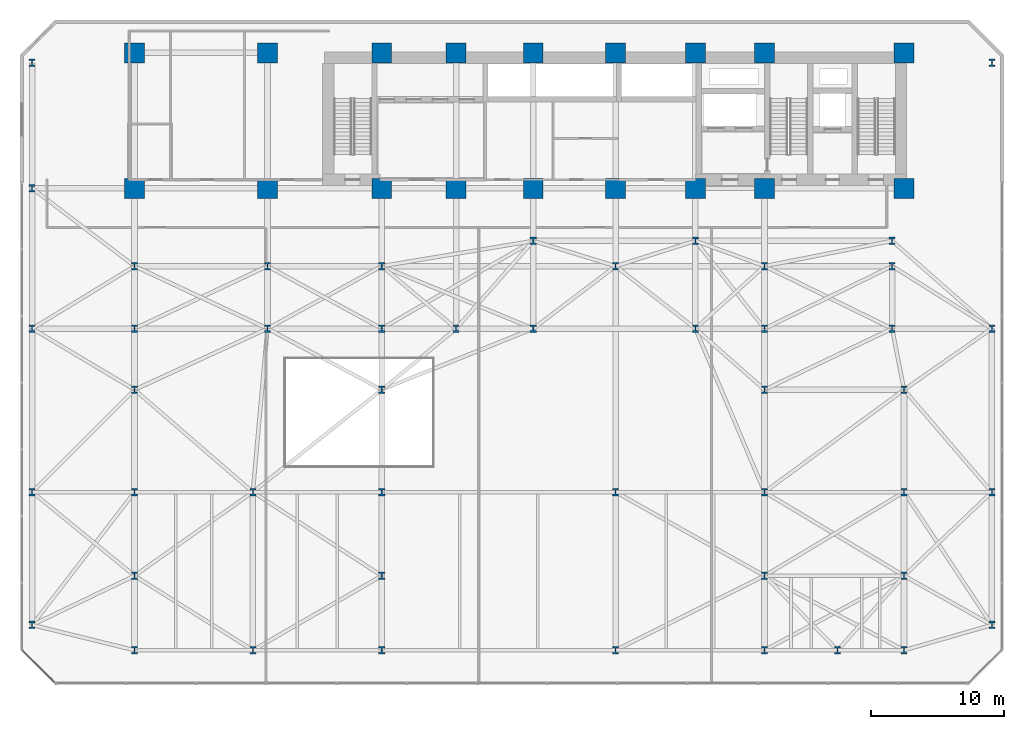
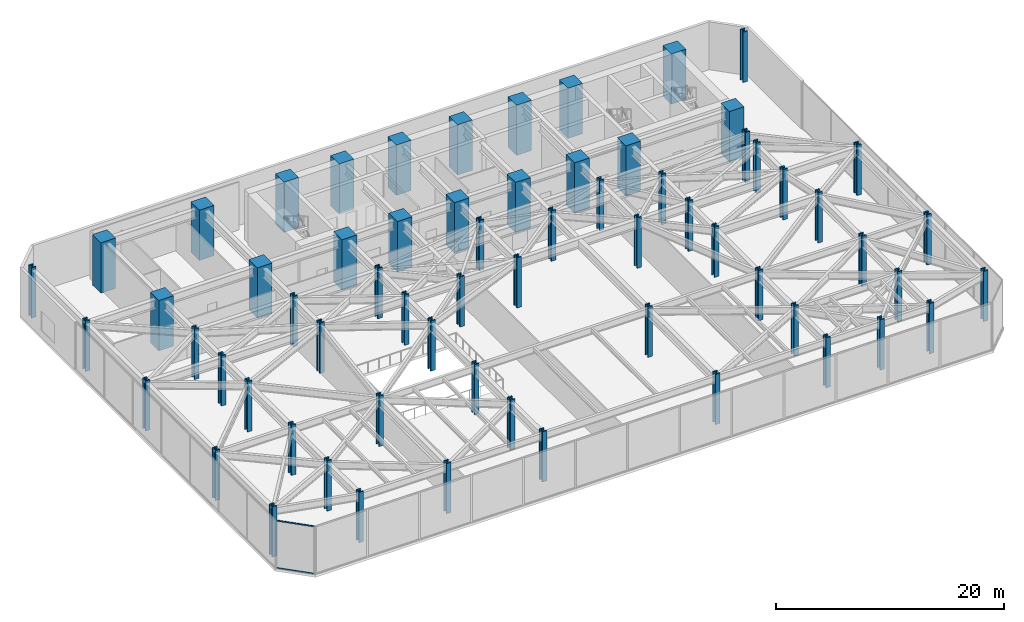
# One storey, part 1 of 29: 65 columns, 2 members, 1 element without a shape of its own.
"""IFC4 building model written with IfcOpenShell, lengths in metres."""

from ifc_helpers import new_model, si_unit, direction, frame, origin, origin_2d, place, context, subcontext, project, spatial, rectangle, hollow_rectangle, i_section, extrude, material, layer, layer_set, material_profile, profile_set, type_object, element, aggregate, save


model = new_model("IFC4")

# Units and contexts
model_context = context("Model", 3, precision=1e-05, world=origin(), true_north=direction((0.0, 1.0)))
body_context = subcontext(model_context, "Body", "Model", "MODEL_VIEW")
ifc_project = project(units=[si_unit("LENGTHUNIT", "METRE"), si_unit("AREAUNIT", "SQUARE_METRE"), si_unit("VOLUMEUNIT", "CUBIC_METRE"), si_unit("PLANEANGLEUNIT", "RADIAN"), si_unit("MASSUNIT", "GRAM", prefix="KILO")], contexts=[model_context])

# Site, building, storey
site_placement = place(None, origin())
site = spatial("IfcSite", under=ifc_project, at=site_placement, CompositionType="ELEMENT")
building_placement = place(site_placement, origin())
building = spatial("IfcBuilding", under=site, at=building_placement, Name="Kravanh Interchange Tower", CompositionType="ELEMENT")
storey_placement = place(building_placement, frame((0.0, 0.0, 5.39990234375)))
storey = spatial("IfcBuildingStorey", under=building, at=storey_placement, Name="L01", CompositionType="ELEMENT", Elevation=5.39990234375)

# Columns
ifc_material_1 = material(Name="Concrete C80/95", Category="concrete")
ifc_material_profile_1 = material_profile(ifc_material_1, rectangle(XDim=1.5, YDim=1.5, at=origin_2d()), Name="RC1500X1500")
ifc_profile_set_1 = profile_set([ifc_material_profile_1], Name="Concrete C80/95")
column_type_1 = type_object("IfcColumnType", Name="Column RC1500X1500 Concrete C80/95", PredefinedType="COLUMN", material=ifc_profile_set_1)
for number, where, z_axis, x_axis, name in (
    (1, (66.5, 47.550048828125, 0.0), (0.0, 0.0, 1.0), (1.0, 0.0, 0.0), "L01 Column CS01"),
    (2, (56.0, 47.550048828125, 0.0), (0.0, 0.0, 1.0), (1.0, 0.0, 0.0), "L01 Column CS02"),
    (3, (66.5, 37.35009765625, 0.0), (0.0, 0.0, 1.0), (1.0, 0.0, 0.0), "L01 Column CS03"),
    (4, (56.0, 37.35009765625, 0.0), (0.0, 0.0, 1.0), (1.0, 0.0, 0.0), "L01 Column CS04"),
    (5, (50.800048828125, 47.550048828125, 0.0), (0.0, 0.0, 1.0), (1.0, 0.0, 0.0), "L01 Column CS05"),
    (6, (50.800048828125, 37.35009765625, 0.0), (0.0, 0.0, 1.0), (1.0, 0.0, 0.0), "L01 Column CS06"),
    (7, (44.800048828125, 37.35009765625, 0.0), (0.0, 0.0, 1.0), (1.0, 0.0, 0.0), "L01 Column CS07"),
    (8, (44.800048828125, 47.550048828125, 0.0), (0.0, 0.0, 1.0), (1.0, 0.0, 0.0), "L01 Column CS08"),
    (9, (38.60009765625, 37.35009765625, 0.0), (0.0, 0.0, 1.0), (1.0, 0.0, 0.0), "L01 Column CS09"),
    (10, (38.60009765625, 47.550048828125, 0.0), (0.0, 0.0, 1.0), (1.0, 0.0, 0.0), "L01 Column CS10"),
    (11, (32.800048828125, 37.35009765625, 0.0), (0.0, 0.0, 1.0), (1.0, 0.0, 0.0), "L01 Column CS11"),
    (12, (32.800048828125, 47.550048828125, 0.0), (0.0, 0.0, 1.0), (1.0, 0.0, 0.0), "L01 Column CS12"),
    (13, (27.199951171875, 37.35009765625, 0.0), (0.0, 0.0, 1.0), (1.0, 0.0, 0.0), "L01 Column CS13"),
    (14, (27.199951171875, 47.550048828125, 0.0), (0.0, 0.0, 1.0), (1.0, 0.0, 0.0), "L01 Column CS14"),
    (15, (18.60009765625, 37.35009765625, 0.0), (0.0, 0.0, 1.0), (1.0, 0.0, 0.0), "L01 Column CS17"),
    (16, (18.60009765625, 47.550048828125, 0.0), (0.0, 0.0, 1.0), (1.0, 0.0, 0.0), "L01 Column CS18"),
    (17, (8.60009765625, 37.35009765625, 0.0), (0.0, 0.0, 1.0), (1.0, 0.0, 0.0), "L01 Column CS23"),
    (18, (8.60009765625, 47.550048828125, 0.0), (0.0, 0.0, 1.0), (1.0, 0.0, 0.0), "L01 Column CS24"),
):
    element("IfcColumn", number, at=place(storey_placement, frame(where, z_axis=z_axis, x_axis=x_axis)), inside=storey, type_object=column_type_1, Name=name, PredefinedType="COLUMN", context=body_context, shape_type="SweptSolid", body=[
        extrude(rectangle(XDim=1.5, YDim=1.5, at=origin_2d()), origin(), (0.0, 0.0, 1.0), 5.400146484375),
    ])
ifc_material_2 = material(Name="Structural Steel S450", Category="steel")
ifc_material_profile_2 = material_profile(ifc_material_2, i_section(OverallWidth=0.4541015625, OverallDepth=0.569091796875, WebThickness=0.077880859375, FlangeThickness=0.124755859375, FilletRadius=0.030029296875, at=origin_2d()), Name="W14X730")
ifc_profile_set_2 = profile_set([ifc_material_profile_2], Name="Structural Steel S450")
column_type_2 = type_object("IfcColumnType", Name="Column W14X730 Structural Steel S450", PredefinedType="COLUMN", material=ifc_profile_set_2)
for number, where, z_axis, x_axis, name in (
    (19, (8.60009765625, 2.60009765625, 0.0), (0.0, 0.0, 1.0), (1.0, 0.0, 0.0), "L01 Column CP01"),
    (20, (17.5, 2.60009765625, 0.0), (0.0, 0.0, 1.0), (1.0, 0.0, 0.0), "L01 Column CP02"),
    (21, (27.199951171875, 2.60009765625, 0.0), (0.0, 0.0, 1.0), (1.0, 0.0, 0.0), "L01 Column CP03"),
    (22, (44.800048828125, 2.60009765625, 0.0), (0.0, 0.0, 1.0), (1.0, 0.0, 0.0), "L01 Column CP04"),
    (23, (56.0, 2.60009765625, 0.0), (0.0, 0.0, 1.0), (1.0, 0.0, 0.0), "L01 Column CP05"),
    (24, (61.5, 2.60009765625, 0.0), (0.0, 0.0, 1.0), (1.0, 0.0, 0.0), "L01 Column CP05B"),
    (25, (66.5, 2.60009765625, 0.0), (0.0, 0.0, 1.0), (1.0, 0.0, 0.0), "L01 Column CP06"),
    (26, (8.60009765625, 8.199951171875, 0.0), (0.0, 0.0, 1.0), (1.0, 0.0, 0.0), "L01 Column CP06B"),
    (27, (27.199951171875, 8.199951171875, 0.0), (0.0, 0.0, 1.0), (1.0, 0.0, 0.0), "L01 Column CP06C"),
    (28, (56.0, 8.199951171875, 0.0), (0.0, 0.0, 1.0), (1.0, 0.0, 0.0), "L01 Column CP06D"),
    (29, (66.5, 8.199951171875, 0.0), (0.0, 0.0, 1.0), (1.0, 0.0, 0.0), "L01 Column CP06E"),
    (30, (8.60009765625, 14.5, 0.0), (0.0, 0.0, 1.0), (1.0, 0.0, 0.0), "L01 Column CP07"),
    (31, (17.5, 14.5, 0.0), (0.0, 0.0, 1.0), (1.0, 0.0, 0.0), "L01 Column CP08"),
    (32, (27.199951171875, 14.5, 0.0), (0.0, 0.0, 1.0), (1.0, 0.0, 0.0), "L01 Column CP09"),
    (33, (44.800048828125, 14.5, 0.0), (0.0, 0.0, 1.0), (1.0, 0.0, 0.0), "L01 Column CP10"),
    (34, (56.0, 14.5, 0.0), (0.0, 0.0, 1.0), (1.0, 0.0, 0.0), "L01 Column CP11"),
    (35, (66.5, 14.5, 0.0), (0.0, 0.0, 1.0), (1.0, 0.0, 0.0), "L01 Column CP12"),
    (36, (8.60009765625, 22.199951171875, 0.0), (0.0, 0.0, 1.0), (1.0, 0.0, 0.0), "L01 Column CP12B"),
    (37, (27.199951171875, 22.199951171875, 0.0), (0.0, 0.0, 1.0), (1.0, 0.0, 0.0), "L01 Column CP12C"),
    (38, (56.0, 22.199951171875, 0.0), (0.0, 0.0, 1.0), (1.0, 0.0, 0.0), "L01 Column CP12D"),
    (39, (66.5, 22.199951171875, 0.0), (0.0, 0.0, 1.0), (1.0, 0.0, 0.0), "L01 Column CP12E"),
    (40, (8.60009765625, 26.800048828125, 0.0), (0.0, 0.0, 1.0), (1.0, 0.0, 0.0), "L01 Column CP13"),
    (41, (18.60009765625, 26.800048828125, 0.0), (0.0, 0.0, 1.0), (1.0, 0.0, 0.0), "L01 Column CP14"),
    (42, (27.199951171875, 26.800048828125, 0.0), (0.0, 0.0, 1.0), (1.0, 0.0, 0.0), "L01 Column CP15"),
    (43, (32.800048828125, 26.800048828125, 0.0), (0.0, 0.0, 1.0), (1.0, 0.0, 0.0), "L01 Column CP16"),
    (44, (38.60009765625, 26.800048828125, 0.0), (0.0, 0.0, 1.0), (1.0, 0.0, 0.0), "L01 Column CP16B"),
    (45, (50.800048828125, 26.800048828125, 0.0), (0.0, 0.0, 1.0), (1.0, 0.0, 0.0), "L01 Column CP17"),
    (46, (56.0, 26.800048828125, 0.0), (0.0, 0.0, 1.0), (1.0, 0.0, 0.0), "L01 Column CP18"),
    (47, (65.60009765625, 26.800048828125, 0.0), (0.0, 0.0, 1.0), (1.0, 0.0, 0.0), "L01 Column CP19"),
    (48, (8.60009765625, 31.5, 0.0), (0.0, 0.0, 1.0), (1.0, 0.0, 0.0), "L01 Column CP19B"),
    (49, (18.60009765625, 31.5, 0.0), (0.0, 0.0, 1.0), (1.0, 0.0, 0.0), "L01 Column CP20"),
    (50, (27.199951171875, 31.5, 0.0), (0.0, 0.0, 1.0), (1.0, 0.0, 0.0), "L01 Column CP21"),
    (51, (44.800048828125, 31.5, 0.0), (0.0, 0.0, 1.0), (1.0, 0.0, 0.0), "L01 Column CP22"),
    (52, (56.0, 31.5, 0.0), (0.0, 0.0, 1.0), (1.0, 0.0, 0.0), "L01 Column CP23"),
    (53, (65.60009765625, 31.5, 0.0), (0.0, 0.0, 1.0), (1.0, 0.0, 0.0), "L01 Column CP24"),
    (54, (0.89990234375, 4.5, 0.0), (0.0, 0.0, 1.0), (1.0, 0.0, 0.0), "L01 Column CP25"),
    (55, (0.89990234375, 14.5, 0.0), (0.0, 0.0, 1.0), (1.0, 0.0, 0.0), "L01 Column CP25B"),
    (56, (0.89990234375, 26.800048828125, 0.0), (0.0, 0.0, 1.0), (1.0, 0.0, 0.0), "L01 Column CP25C"),
    (57, (0.89990234375, 37.35009765625, 0.0), (0.0, 0.0, 1.0), (1.0, 0.0, 0.0), "L01 Column CP25D"),
    (58, (0.89990234375, 46.800048828125, 0.0), (0.0, 0.0, 1.0), (1.0, 0.0, 0.0), "L01 Column CP26"),
    (59, (73.10009765625, 4.5, 0.0), (0.0, 0.0, 1.0), (1.0, 0.0, 0.0), "L01 Column CP27"),
    (60, (73.10009765625, 14.5, 0.0), (0.0, 0.0, 1.0), (1.0, 0.0, 0.0), "L01 Column CP27B"),
    (61, (73.10009765625, 26.800048828125, 0.0), (0.0, 0.0, 1.0), (1.0, 0.0, 0.0), "L01 Column CP27C"),
    (62, (73.10009765625, 46.800048828125, 0.0), (0.0, 0.0, 1.0), (1.0, 0.0, 0.0), "L01 Column CP28"),
    (63, (38.60009765625, 33.39990234375, 0.0), (0.0, 0.0, 1.0), (1.0, 0.0, 0.0), "L01 Column CP_M1"),
    (64, (50.800048828125, 33.39990234375, 0.0), (0.0, 0.0, 1.0), (1.0, 0.0, 0.0), "L01 Column CP_M2"),
    (65, (65.60009765625, 33.39990234375, 0.0), (0.0, 0.0, 1.0), (1.0, 0.0, 0.0), "L01 Column CP_M3"),
):
    element("IfcColumn", number, at=place(storey_placement, frame(where, z_axis=z_axis, x_axis=x_axis)), inside=storey, type_object=column_type_2, Name=name, PredefinedType="COLUMN", context=body_context, shape_type="SweptSolid", body=[
        extrude(i_section(OverallWidth=0.4541015625, OverallDepth=0.569091796875, WebThickness=0.077880859375, FlangeThickness=0.124755859375, FilletRadius=0.030029296875, at=origin_2d()), origin(), (0.0, 0.0, 1.0), 5.400146484375),
    ])

# Curtain wall, members
ifc_material_3 = material(Name="Anodised Bronze Aluminium", Category="aluminium")
ifc_layer = layer(ifc_material_3, 0.179931640625)
ifc_layer_set = layer_set([ifc_layer], Name="Unitised Curtain Wall System CW-POD Podium Concourse")
curtain_wall_type = type_object("IfcCurtainWallType", Name="Unitised Curtain Wall System CW-POD Podium Concourse", PredefinedType="NOTDEFINED", material=ifc_layer_set)
curtain_wall_placement = place(storey_placement, origin())
curtain_wall = element("IfcCurtainWall", 66, at=curtain_wall_placement, inside=storey, type_object=curtain_wall_type, Name="L01 Unitised Curtain Wall CW-L01-05", PredefinedType="NOTDEFINED")
ifc_material_4 = material(Name="Anodised Bronze Aluminium", Category="aluminium")
ifc_material_profile_3 = material_profile(ifc_material_4, hollow_rectangle(XDim=0.06005859375, YDim=0.139892578125, WallThickness=0.00390625, at=origin_2d()), Name="ALU60X140X4")
ifc_profile_set_3 = profile_set([ifc_material_profile_3], Name="Anodised Bronze Aluminium")
member_type = type_object("IfcMemberType", Name="Curtain Wall Transom ALU60X140X4 Bronze", PredefinedType="USERDEFINED", material=ifc_profile_set_3)
member_1_placement = place(storey_placement, frame((2.60009765625, 0.16943359375, 0.030029296875), z_axis=(-0.707106781187, 0.707106781187, 0.0), x_axis=(-0.707106781187, -0.707106781187, 0.0)))
member_1 = element("IfcMember", 67, at=member_1_placement, type_object=member_type, Name="CW-POD transom 1.1", ObjectType="TRANSOM", PredefinedType="USERDEFINED", context=body_context, shape_type="SweptSolid", body=[
    extrude(hollow_rectangle(XDim=0.06005859375, YDim=0.139892578125, WallThickness=0.00390625, at=origin_2d()), origin(), (0.0, 0.0, 1.0), 3.4375),
])
member_2_placement = place(storey_placement, frame((2.60009765625, 0.16943359375, 5.10009765625), z_axis=(-0.707106781187, 0.707106781187, 0.0), x_axis=(-0.707106781187, -0.707106781187, 0.0)))
member_2 = element("IfcMember", 68, at=member_2_placement, type_object=member_type, Name="CW-POD transom 1.2", ObjectType="TRANSOM", PredefinedType="USERDEFINED", context=body_context, shape_type="SweptSolid", body=[
    extrude(hollow_rectangle(XDim=0.06005859375, YDim=0.139892578125, WallThickness=0.00390625, at=origin_2d()), origin(), (0.0, 0.0, 1.0), 3.4375),
])
aggregate(curtain_wall, [member_1, member_2])

save(model, "model.ifc")
